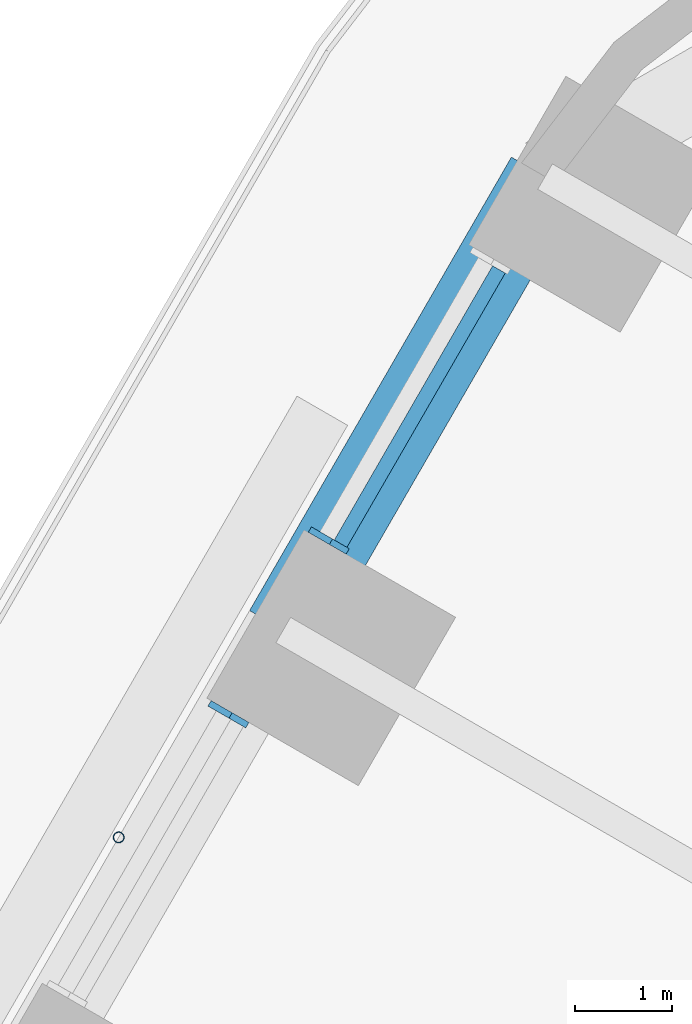
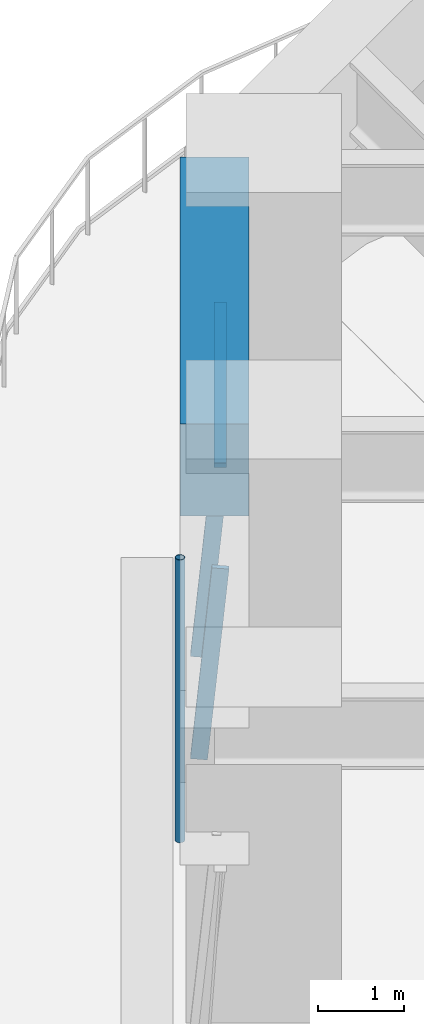
# One storey, part 9 of 23: 4 members, 1 beam, 2 elements without a shape of their own.
"""IFC4 building model written with IfcOpenShell, lengths in metres."""

from ifc_helpers import new_model, si_unit, direction, frame, origin, origin_2d, place, context, subcontext, project, spatial, rectangle, hollow_circle, extrude, material, material_profile, profile_set, type_object, element, aggregate, save


model = new_model("IFC4")

# Units and contexts
model_context = context("Model", 3, precision=1e-05, world=origin(), true_north=direction((0.0, 1.0)))
body_context = subcontext(model_context, "Body", "Model", "MODEL_VIEW")
ifc_project = project(units=[si_unit("LENGTHUNIT", "METRE"), si_unit("AREAUNIT", "SQUARE_METRE"), si_unit("VOLUMEUNIT", "CUBIC_METRE"), si_unit("PLANEANGLEUNIT", "RADIAN"), si_unit("MASSUNIT", "GRAM", prefix="KILO")], contexts=[model_context])

# Site, building, storey
site_placement = place(None, origin())
site = spatial("IfcSite", under=ifc_project, at=site_placement, CompositionType="ELEMENT")
building_placement = place(site_placement, origin())
building = spatial("IfcBuilding", under=site, at=building_placement, Name="Tarfa Lantern Tower", CompositionType="ELEMENT")
storey_placement = place(building_placement, frame((0.0, 0.0, 52.89990234375)))
storey = spatial("IfcBuildingStorey", under=building, at=storey_placement, Name="L11", CompositionType="ELEMENT", Elevation=52.89990234375)

# Curtain wall, member
ifc_material_1 = material(Name="Aluminium framed curtain wall", Category="aluminium")
curtain_wall_type = type_object("IfcCurtainWallType", Name="CW1 CANTED GLAZING LOW ZONE 2700", PredefinedType="USERDEFINED", material=ifc_material_1)
curtain_wall_1_placement = place(storey_placement, origin())
curtain_wall_1 = element("IfcCurtainWall", 1, at=curtain_wall_1_placement, inside=storey, type_object=curtain_wall_type, Name="CW1 NW L11", ObjectType="CURTAIN WALL", PredefinedType="USERDEFINED")
ifc_material_2 = material(Name="Aluminium mullion", Category="aluminium")
ifc_material_profile_1 = material_profile(ifc_material_2, rectangle(XDim=0.06494140625, YDim=0.199951171875, at=origin_2d()), Name="AL MULLION 65x200")
ifc_profile_set_1 = profile_set([ifc_material_profile_1], Name="Aluminium mullion")
member_type_1 = type_object("IfcMemberType", Name="CWM1 MULLION 65x200", PredefinedType="MULLION", material=ifc_profile_set_1)
member_1_placement = place(storey_placement, frame((-23.453369140625, 27.177490234375, 0.0), z_axis=(0.079857261722, -0.046095736191, 0.995739926314), x_axis=(0.499919672301, 0.866071776036, 0.0)))
member_1 = element("IfcMember", 2, at=member_1_placement, type_object=member_type_1, Name="CW1 mullion 2", PredefinedType="MULLION", context=body_context, shape_type="SweptSolid", body=[
    extrude(rectangle(XDim=0.06494140625, YDim=0.199951171875, at=origin_2d()), origin(), (0.0, 0.0, 1.0), 2.711669921875),
])

curtain_wall_2_placement = place(storey_placement, origin())
curtain_wall_2 = element("IfcCurtainWall", 3, at=curtain_wall_2_placement, inside=storey, type_object=curtain_wall_type, Name="CW1 NW L11", ObjectType="CURTAIN WALL", PredefinedType="USERDEFINED")
member_2_placement = place(storey_placement, frame((-24.48583984375, 25.38916015625, 0.0), z_axis=(0.079857261722, -0.046095736191, 0.995739926314), x_axis=(0.499919672301, 0.866071776036, 0.0)))
member_2 = element("IfcMember", 4, at=member_2_placement, type_object=member_type_1, Name="CW1 mullion 1", PredefinedType="MULLION", context=body_context, shape_type="SweptSolid", body=[
    extrude(rectangle(XDim=0.06494140625, YDim=0.199951171875, at=origin_2d()), origin(), (0.0, 0.0, 1.0), 2.711669921875),
])
aggregate(curtain_wall_2, [member_2])

# Member
ifc_material_3 = material(Name="Aluminium transom", Category="aluminium")
ifc_material_profile_2 = material_profile(ifc_material_3, rectangle(XDim=0.14990234375, YDim=0.06494140625, at=origin_2d()), Name="AL TRANSOM 150x65")
ifc_profile_set_2 = profile_set([ifc_material_profile_2], Name="Aluminium transom")
member_type_2 = type_object("IfcMemberType", Name="CWT1 TRANSOM 150x65", PredefinedType="USERDEFINED", material=ifc_profile_set_2)
member_3_placement = place(storey_placement, frame((-21.593994140625, 29.904296875, 2.66748046875), z_axis=(-0.499966746847, -0.86604460165, 0.0), x_axis=(0.86604460165, -0.499966746847, 0.0)))
member_3 = element("IfcMember", 5, at=member_3_placement, type_object=member_type_2, Name="CW1 transom 1.2", ObjectType="TRANSOM", PredefinedType="USERDEFINED", context=body_context, shape_type="SweptSolid", body=[
    extrude(rectangle(XDim=0.14990234375, YDim=0.06494140625, at=origin_2d()), origin(), (0.0, 0.0, 1.0), 3.258544921875),
])

aggregate(curtain_wall_1, [member_1, member_3])

# Beam
ifc_material_4 = material(Name="Concrete C80/95", Category="concrete")
ifc_material_profile_3 = material_profile(ifc_material_4, rectangle(XDim=0.800048828125, YDim=1.300048828125, at=origin_2d()), Name="RC 800x1300")
ifc_profile_set_3 = profile_set([ifc_material_profile_3], Name="Concrete C80/95")
beam_type = type_object("IfcBeamType", Name="EB1 RC 800x1300", PredefinedType="SPANDREL", material=ifc_profile_set_3)
beam_placement = place(storey_placement, frame((-21.119384765625, 30.860107421875, 3.35009765625), z_axis=(-0.499998287579, -0.866026392449, 0.0), x_axis=(0.866026392449, -0.499998287579, 0.0)))
element("IfcBeam", 6, at=beam_placement, inside=storey, type_object=beam_type, Name="Edge beam NW0", PredefinedType="SPANDREL", context=body_context, shape_type="SweptSolid", body=[
    extrude(rectangle(XDim=0.800048828125, YDim=1.300048828125, at=origin_2d()), origin(), (0.0, 0.0, 1.0), 5.388671875),
])

# Member
ifc_material_5 = material(Name="Steel S355", Category="steel")
ifc_material_profile_4 = material_profile(ifc_material_5, hollow_circle(Radius=0.05712890625, WallThickness=0.00634765625, at=origin_2d()), Name="CHS114.3x6.3")
ifc_profile_set_4 = profile_set([ifc_material_profile_4], Name="Steel S355")
member_type_3 = type_object("IfcMemberType", Name="TR1 GREEN WALL TRELLIS CHS114.3x6.3", PredefinedType="USERDEFINED", material=ifc_profile_set_4)
member_4_placement = place(storey_placement, frame((-25.50732421875, 24.06005859375, 0.0), z_axis=(0.0, 0.0, 1.0), x_axis=(1.0, 0.0, 0.0)))
element("IfcMember", 7, at=member_4_placement, inside=storey, type_object=member_type_3, Name="Trellis post NW 1", ObjectType="TRELLIS", PredefinedType="USERDEFINED", context=body_context, shape_type="SweptSolid", body=[
    extrude(hollow_circle(Radius=0.05712890625, WallThickness=0.00634765625, at=origin_2d()), origin(), (0.0, 0.0, 1.0), 4.0),
])

save(model, "model.ifc")
